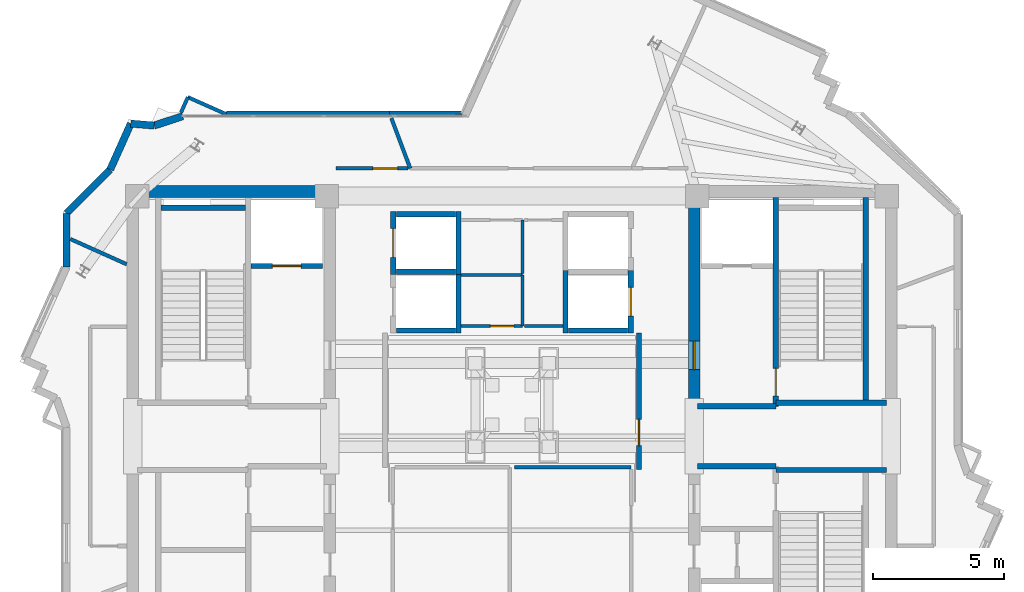
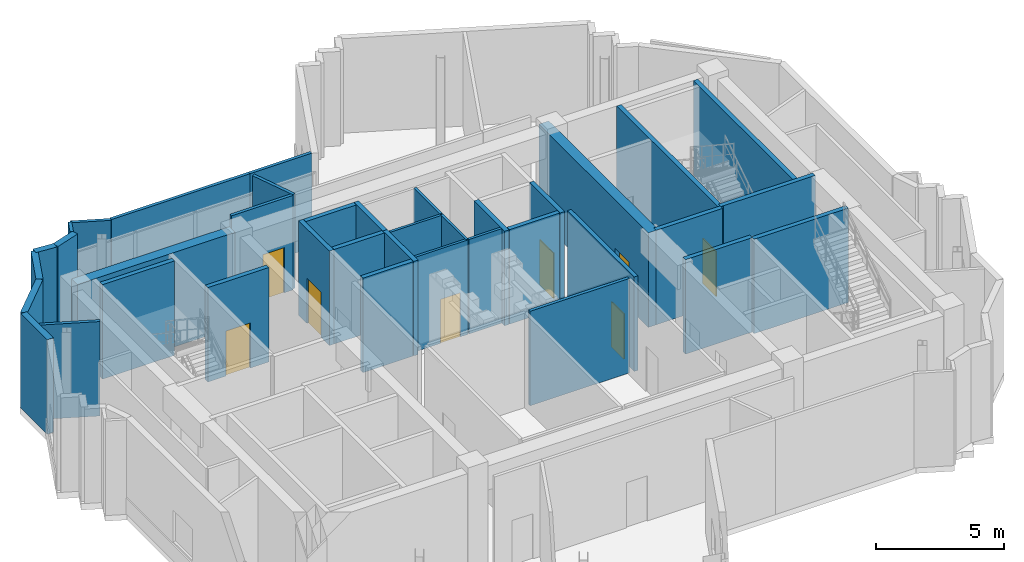
# One storey, part 7 of 11: 38 walls, 8 doors, 8 openings.
"""IFC4 building model written with IfcOpenShell, lengths in metres."""

from ifc_helpers import new_model, si_unit, direction, frame, frame_2d, origin, place, context, subcontext, project, spatial, rectangle, extrude, source, transform, mapped, material, layer, layer_set, type_object, element, fill, save


model = new_model("IFC4")

# Units and contexts
model_context = context("Model", 3, precision=1e-05, world=origin(), true_north=direction((0.0, 1.0)))
body_context = subcontext(model_context, "Body", "Model", "MODEL_VIEW")
ifc_project = project(units=[si_unit("LENGTHUNIT", "METRE"), si_unit("AREAUNIT", "SQUARE_METRE"), si_unit("VOLUMEUNIT", "CUBIC_METRE"), si_unit("PLANEANGLEUNIT", "RADIAN"), si_unit("MASSUNIT", "GRAM", prefix="KILO")], contexts=[model_context])

# Site, building, storey
site_placement = place(None, origin())
site = spatial("IfcSite", under=ifc_project, at=site_placement, CompositionType="ELEMENT")
building_placement = place(site_placement, origin())
building = spatial("IfcBuilding", under=site, at=building_placement, Name="Zahravan Cultural Tower", CompositionType="ELEMENT")
storey_placement = place(building_placement, frame((0.0, 0.0, 361.050048828125)))
storey = spatial("IfcBuildingStorey", under=building, at=storey_placement, Name="L88", CompositionType="ELEMENT", Elevation=361.050048828125)

# Wall, opening, door
ifc_material_1 = material(Name="Concrete C50/60", Category="concrete")
ifc_layer_1 = layer(ifc_material_1, 0.449951171875)
ifc_layer_set_1 = layer_set([ifc_layer_1], Name="Concrete C50/60")
wall_type_1 = type_object("IfcWallType", Name="CW-SHEAR-450-C50", PredefinedType="SHEAR", material=ifc_layer_set_1)
wall_1_placement = place(storey_placement, frame((42.97509765625, 28.050048828125, 0.0), z_axis=(0.0, 0.0, 1.0), x_axis=(0.0, 1.0, 0.0)))
wall_1 = element("IfcWall", 1, at=wall_1_placement, inside=storey, type_object=wall_type_1, Name="L88 Core Shear Wall CW-E-WN-L88", PredefinedType="SHEAR", context=body_context, shape_type="SweptSolid", body=[
    extrude(rectangle(XDim=8.550048828125, YDim=0.449951171875, at=frame_2d((4.27490234375, 0.0))), origin(), (0.0, 0.0, 1.0), 4.5),
])
opening_1_placement = place(wall_1_placement, frame((1.5, 0.0, 0.0)))
opening_1 = element("IfcOpeningElement", 2, at=opening_1_placement, cuts=wall_1, Name="Opening D-L88-07", PredefinedType="OPENING", context=body_context, shape_type="SweptSolid", body=[
    extrude(rectangle(XDim=1.10009765625, YDim=2.199951171875, at=frame_2d((0.550048828125, 1.10009765625))), frame((0.0, 0.23486328125, 0.0), z_axis=(0.0, -1.0, 0.0), x_axis=(1.0, 0.0, 0.0)), (0.0, 0.0, 1.0), 0.469970703125),
])
ifc_material_2 = material(Name="Steel ASTM A572 Grade 50", Category="steel")
door_type_1 = type_object("IfcDoorType", Name="DR-LOBBY-1100", OperationType="NOTDEFINED", PredefinedType="DOOR", material=ifc_material_2)
shared_shape_1 = source(origin(), body_context, "Body", "SweptSolid", [
    extrude(rectangle(XDim=1.10009765625, YDim=2.199951171875, at=frame_2d((0.550048828125, 1.10009765625))), frame((0.0, 0.02490234375, 0.0), z_axis=(0.0, -1.0, 0.0), x_axis=(1.0, 0.0, 0.0)), (0.0, 0.0, 1.0), 0.050048828125),
])
door_1_placement = place(opening_1_placement, origin())
door_1 = element("IfcDoor", 3, at=door_1_placement, inside=storey, type_object=door_type_1, Name="L88 Door D-L88-07", OperationType="SINGLE_SWING_LEFT", OverallHeight=2.199951171875, OverallWidth=1.10009765625, PredefinedType="DOOR", context=body_context, shape_type="MappedRepresentation", body=[
    mapped(shared_shape_1, transform((0.0, 0.0, 0.0), x_axis=(1.0, 0.0, 0.0), y_axis=(0.0, 1.0, 0.0), z_axis=(0.0, 0.0, 1.0), scale=1.0)),
])
fill(opening_1, door_1)

ifc_material_3 = material(Name="Gypsum plasterboard partition")
ifc_layer_2 = layer(ifc_material_3, 0.179931640625)
ifc_layer_set_2 = layer_set([ifc_layer_2], Name="Gypsum plasterboard partition")
wall_type_2 = type_object("IfcWallType", Name="W-COMP-180", PredefinedType="PARTITIONING", material=ifc_layer_set_2)
wall_2_placement = place(storey_placement, frame((40.860107421875, 30.949951171875, 0.0), z_axis=(0.0, 0.0, 1.0), x_axis=(0.0, -1.0, 0.0)))
wall_2 = element("IfcWall", 4, at=wall_2_placement, inside=storey, type_object=wall_type_2, Name="L88 Interior Wall 082", PredefinedType="PARTITIONING", context=body_context, shape_type="SweptSolid", body=[
    extrude(rectangle(XDim=5.21484375, YDim=0.179931640625, at=frame_2d((2.607421875, 0.0))), origin(), (0.0, 0.0, 1.0), 4.5),
])
opening_2_placement = place(wall_2_placement, frame((3.3017578125, 0.0, 0.0)))
opening_2 = element("IfcOpeningElement", 5, at=opening_2_placement, cuts=wall_2, Name="Opening D-L88-18", PredefinedType="OPENING", context=body_context, shape_type="SweptSolid", body=[
    extrude(rectangle(XDim=1.0, YDim=2.14990234375, at=frame_2d((0.5, 1.074951171875))), frame((0.0, 0.099853515625, 0.0), z_axis=(0.0, -1.0, 0.0), x_axis=(1.0, 0.0, 0.0)), (0.0, 0.0, 1.0), 0.199951171875),
])
door_type_2 = type_object("IfcDoorType", Name="DR-COMP-1000", OperationType="NOTDEFINED", PredefinedType="DOOR", material=ifc_material_2)
shared_shape_2 = source(origin(), body_context, "Body", "SweptSolid", [
    extrude(rectangle(XDim=1.0, YDim=2.14990234375, at=frame_2d((0.5, 1.074951171875))), frame((0.0, 0.02490234375, 0.0), z_axis=(0.0, -1.0, 0.0), x_axis=(1.0, 0.0, 0.0)), (0.0, 0.0, 1.0), 0.050048828125),
])
door_2_placement = place(opening_2_placement, origin())
door_2 = element("IfcDoor", 6, at=door_2_placement, inside=storey, type_object=door_type_2, Name="L88 Door D-L88-18", OperationType="SINGLE_SWING_RIGHT", OverallHeight=2.14990234375, OverallWidth=1.0, PredefinedType="DOOR", context=body_context, shape_type="MappedRepresentation", body=[
    mapped(shared_shape_2, transform((0.0, 0.0, 0.0), x_axis=(1.0, 0.0, 0.0), y_axis=(0.0, 1.0, 0.0), z_axis=(0.0, 0.0, 1.0), scale=1.0)),
])
fill(opening_2, door_2)

ifc_layer_3 = layer(ifc_material_3, 0.139892578125)
ifc_layer_set_3 = layer_set([ifc_layer_3], Name="Gypsum plasterboard partition")
wall_type_3 = type_object("IfcWallType", Name="W-PART-140", PredefinedType="PARTITIONING", material=ifc_layer_set_3)
wall_3_placement = place(storey_placement, frame((32.02294921875, 37.260009765625, 0.0), z_axis=(0.0, 0.0, 1.0), x_axis=(-0.999999902762, -0.000440994842, 0.0)))
wall_3 = element("IfcWall", 7, at=wall_3_placement, inside=storey, type_object=wall_type_3, Name="L88 Interior Wall 065", PredefinedType="PARTITIONING", context=body_context, shape_type="SweptSolid", body=[
    extrude(rectangle(XDim=2.76806640625, YDim=0.139892578125, at=frame_2d((1.384033203125, 0.0))), origin(), (0.0, 0.0, 1.0), 4.5),
])
opening_3_placement = place(wall_3_placement, frame((0.39990234375, 0.0, 0.0)))
opening_3 = element("IfcOpeningElement", 8, at=opening_3_placement, cuts=wall_3, Name="Opening D-L88-23", PredefinedType="OPENING", context=body_context, shape_type="SweptSolid", body=[
    extrude(rectangle(XDim=0.949951171875, YDim=2.14990234375, at=frame_2d((0.47509765625, 1.074951171875))), frame((0.0, 0.079833984375, 0.0), z_axis=(0.0, -1.0, 0.0), x_axis=(1.0, 0.0, 0.0)), (0.0, 0.0, 1.0), 0.159912109375),
])
ifc_material_4 = material(Name="Anodised bronze-aluminium mullion", Category="aluminium")
door_type_3 = type_object("IfcDoorType", Name="DR-ROOM-950", OperationType="NOTDEFINED", PredefinedType="DOOR", material=ifc_material_4)
shared_shape_3 = source(origin(), body_context, "Body", "SweptSolid", [
    extrude(rectangle(XDim=0.949951171875, YDim=2.14990234375, at=frame_2d((0.47509765625, 1.074951171875))), frame((0.0, 0.02490234375, 0.0), z_axis=(0.0, -1.0, 0.0), x_axis=(1.0, 0.0, 0.0)), (0.0, 0.0, 1.0), 0.050048828125),
])
door_3_placement = place(opening_3_placement, origin())
door_3 = element("IfcDoor", 9, at=door_3_placement, inside=storey, type_object=door_type_3, Name="L88 Door D-L88-23", OperationType="SINGLE_SWING_LEFT", OverallHeight=2.14990234375, OverallWidth=0.949951171875, PredefinedType="DOOR", context=body_context, shape_type="MappedRepresentation", body=[
    mapped(shared_shape_3, transform((0.0, 0.0, 0.0), x_axis=(1.0, 0.0, 0.0), y_axis=(0.0, 1.0, 0.0), z_axis=(0.0, 0.0, 1.0), scale=1.0)),
])
fill(opening_3, door_3)

ifc_material_5 = material(Name="Concrete C45/55", Category="concrete")
ifc_layer_4 = layer(ifc_material_5, 0.199951171875)
ifc_layer_set_4 = layer_set([ifc_layer_4], Name="Concrete C45/55")
wall_type_4 = type_object("IfcWallType", Name="W-SHAFT-200", PredefinedType="SOLIDWALL", material=ifc_layer_set_4)
wall_4_placement = place(storey_placement, frame((46.10009765625, 28.14990234375, 0.0), z_axis=(0.0, 0.0, 1.0), x_axis=(0.0, 1.0, 0.0)))
wall_4 = element("IfcWall", 10, at=wall_4_placement, inside=storey, type_object=wall_type_4, Name="L88 Interior Wall 008", PredefinedType="SOLIDWALL", context=body_context, shape_type="SweptSolid", body=[
    extrude(rectangle(XDim=8.0, YDim=0.199951171875, at=frame_2d((4.0, 0.0))), origin(), (0.0, 0.0, 1.0), 4.5),
])
opening_4_placement = place(wall_4_placement, frame((0.39990234375, 0.0, 0.0)))
opening_4 = element("IfcOpeningElement", 11, at=opening_4_placement, cuts=wall_4, Name="Opening D-L88-02", PredefinedType="OPENING", context=body_context, shape_type="SweptSolid", body=[
    extrude(rectangle(XDim=1.050048828125, YDim=2.14990234375, at=frame_2d((0.52490234375, 1.074951171875))), frame((0.0, 0.10986328125, 0.0), z_axis=(0.0, -1.0, 0.0), x_axis=(1.0, 0.0, 0.0)), (0.0, 0.0, 1.0), 0.219970703125),
])
door_type_4 = type_object("IfcDoorType", Name="DR-STAIR-1050", OperationType="NOTDEFINED", PredefinedType="DOOR", material=ifc_material_2)
shared_shape_4 = source(origin(), body_context, "Body", "SweptSolid", [
    extrude(rectangle(XDim=1.050048828125, YDim=2.14990234375, at=frame_2d((0.52490234375, 1.074951171875))), frame((0.0, 0.02490234375, 0.0), z_axis=(0.0, -1.0, 0.0), x_axis=(1.0, 0.0, 0.0)), (0.0, 0.0, 1.0), 0.050048828125),
])
door_4_placement = place(opening_4_placement, origin())
door_4 = element("IfcDoor", 12, at=door_4_placement, inside=storey, type_object=door_type_4, Name="L88 Door D-L88-02", OperationType="SINGLE_SWING_RIGHT", OverallHeight=2.14990234375, OverallWidth=1.050048828125, PredefinedType="DOOR", context=body_context, shape_type="MappedRepresentation", body=[
    mapped(shared_shape_4, transform((0.0, 0.0, 0.0), x_axis=(1.0, 0.0, 0.0), y_axis=(0.0, 1.0, 0.0), z_axis=(0.0, 0.0, 1.0), scale=1.0)),
])
fill(opening_4, door_4)

wall_5_placement = place(storey_placement, frame((26.0, 33.52001953125, 0.0), z_axis=(0.0, 0.0, 1.0), x_axis=(1.0, 0.0, 0.0)))
wall_5 = element("IfcWall", 13, at=wall_5_placement, inside=storey, type_object=wall_type_4, Name="L88 Interior Wall 022", PredefinedType="SOLIDWALL", context=body_context, shape_type="SweptSolid", body=[
    extrude(rectangle(XDim=2.75, YDim=0.199951171875, at=frame_2d((1.375, 0.0))), origin(), (0.0, 0.0, 1.0), 4.5),
])
opening_5_placement = place(wall_5_placement, frame((0.820068359375, 0.0, 0.0)))
opening_5 = element("IfcOpeningElement", 14, at=opening_5_placement, cuts=wall_5, Name="Opening LD-L88-01", PredefinedType="OPENING", context=body_context, shape_type="SweptSolid", body=[
    extrude(rectangle(XDim=1.10009765625, YDim=2.14990234375, at=frame_2d((0.550048828125, 1.074951171875))), frame((0.0, 0.10986328125, 0.0), z_axis=(0.0, -1.0, 0.0), x_axis=(1.0, 0.0, 0.0)), (0.0, 0.0, 1.0), 0.219970703125),
])
door_type_5 = type_object("IfcDoorType", Name="DR-LIFT-1100", OperationType="DOUBLE_DOOR_SLIDING", PredefinedType="DOOR", material=ifc_material_2)
shared_shape_5 = source(origin(), body_context, "Body", "SweptSolid", [
    extrude(rectangle(XDim=1.10009765625, YDim=2.14990234375, at=frame_2d((0.550048828125, 1.074951171875))), frame((0.0, 0.02490234375, 0.0), z_axis=(0.0, -1.0, 0.0), x_axis=(1.0, 0.0, 0.0)), (0.0, 0.0, 1.0), 0.050048828125),
])
door_5_placement = place(opening_5_placement, origin())
door_5 = element("IfcDoor", 15, at=door_5_placement, inside=storey, type_object=door_type_5, Name="L88 Door LD-L88-01", OperationType="DOUBLE_DOOR_SLIDING", OverallHeight=2.14990234375, OverallWidth=1.10009765625, PredefinedType="DOOR", context=body_context, shape_type="MappedRepresentation", body=[
    mapped(shared_shape_5, transform((0.0, 0.0, 0.0), x_axis=(1.0, 0.0, 0.0), y_axis=(0.0, 1.0, 0.0), z_axis=(0.0, 0.0, 1.0), scale=1.0)),
])
fill(opening_5, door_5)

wall_6_placement = place(storey_placement, frame((31.449951171875, 33.199951171875, 0.0), z_axis=(0.0, 0.0, 1.0), x_axis=(0.0, 1.0, 0.0)))
wall_6 = element("IfcWall", 16, at=wall_6_placement, inside=storey, type_object=wall_type_4, Name="L88 Interior Wall 029", PredefinedType="SOLIDWALL", context=body_context, shape_type="SweptSolid", body=[
    extrude(rectangle(XDim=2.400146484375, YDim=0.199951171875, at=frame_2d((1.2001953125, 0.0))), origin(), (0.0, 0.0, 1.0), 4.5),
])
opening_6_placement = place(wall_6_placement, frame((0.64990234375, 0.0, 0.0)))
opening_6 = element("IfcOpeningElement", 17, at=opening_6_placement, cuts=wall_6, Name="Opening LD-L88-04", PredefinedType="OPENING", context=body_context, shape_type="SweptSolid", body=[
    extrude(rectangle(XDim=1.10009765625, YDim=2.14990234375, at=frame_2d((0.550048828125, 1.074951171875))), frame((0.0, 0.10986328125, 0.0), z_axis=(0.0, -1.0, 0.0), x_axis=(1.0, 0.0, 0.0)), (0.0, 0.0, 1.0), 0.219970703125),
])
door_6_placement = place(opening_6_placement, origin())
door_6 = element("IfcDoor", 18, at=door_6_placement, inside=storey, type_object=door_type_5, Name="L88 Door LD-L88-04", OperationType="DOUBLE_DOOR_SLIDING", OverallHeight=2.14990234375, OverallWidth=1.10009765625, PredefinedType="DOOR", context=body_context, shape_type="MappedRepresentation", body=[
    mapped(shared_shape_5, transform((0.0, 0.0, 0.0), x_axis=(1.0, 0.0, 0.0), y_axis=(0.0, 1.0, 0.0), z_axis=(0.0, 0.0, 1.0), scale=1.0)),
])
fill(opening_6, door_6)

wall_7_placement = place(storey_placement, frame((40.550048828125, 30.949951171875, 0.0), z_axis=(0.0, 0.0, 1.0), x_axis=(0.0, 1.0, 0.0)))
wall_7 = element("IfcWall", 19, at=wall_7_placement, inside=storey, type_object=wall_type_4, Name="L88 Interior Wall 041", PredefinedType="SOLIDWALL", context=body_context, shape_type="SweptSolid", body=[
    extrude(rectangle(XDim=2.400146484375, YDim=0.199951171875, at=frame_2d((1.2001953125, 0.0))), origin(), (0.0, 0.0, 1.0), 4.5),
])
opening_7_placement = place(wall_7_placement, frame((0.64990234375, 0.0, 0.0)))
opening_7 = element("IfcOpeningElement", 20, at=opening_7_placement, cuts=wall_7, Name="Opening LD-L88-07", PredefinedType="OPENING", context=body_context, shape_type="SweptSolid", body=[
    extrude(rectangle(XDim=1.10009765625, YDim=2.14990234375, at=frame_2d((0.550048828125, 1.074951171875))), frame((0.0, 0.10986328125, 0.0), z_axis=(0.0, -1.0, 0.0), x_axis=(1.0, 0.0, 0.0)), (0.0, 0.0, 1.0), 0.219970703125),
])
door_7_placement = place(opening_7_placement, origin())
door_7 = element("IfcDoor", 21, at=door_7_placement, inside=storey, type_object=door_type_5, Name="L88 Door LD-L88-07", OperationType="DOUBLE_DOOR_SLIDING", OverallHeight=2.14990234375, OverallWidth=1.10009765625, PredefinedType="DOOR", context=body_context, shape_type="MappedRepresentation", body=[
    mapped(shared_shape_5, transform((0.0, 0.0, 0.0), x_axis=(1.0, 0.0, 0.0), y_axis=(0.0, 1.0, 0.0), z_axis=(0.0, 0.0, 1.0), scale=1.0)),
])
fill(opening_7, door_7)

ifc_layer_5 = layer(ifc_material_3, 0.114990234375)
ifc_layer_set_5 = layer_set([ifc_layer_5], Name="Gypsum plasterboard partition")
wall_type_5 = type_object("IfcWallType", Name="W-WC-115", PredefinedType="PARTITIONING", material=ifc_layer_set_5)
wall_8_placement = place(storey_placement, frame((36.409912109375, 31.219970703125, 0.0), z_axis=(0.0, 0.0, 1.0), x_axis=(-1.0, 0.0, 0.0)))
wall_8 = element("IfcWall", 22, at=wall_8_placement, inside=storey, type_object=wall_type_5, Name="L88 Interior Wall 043", PredefinedType="PARTITIONING", context=body_context, shape_type="SweptSolid", body=[
    extrude(rectangle(XDim=2.35498046875, YDim=0.114990234375, at=frame_2d((1.177490234375, 0.0))), origin(), (0.0, 0.0, 1.0), 4.5),
])
opening_8_placement = place(wall_8_placement, frame((0.333984375, 0.0, 0.0)))
opening_8 = element("IfcOpeningElement", 23, at=opening_8_placement, cuts=wall_8, Name="Opening D-L88-27", PredefinedType="OPENING", context=body_context, shape_type="SweptSolid", body=[
    extrude(rectangle(XDim=0.89990234375, YDim=2.10009765625, at=frame_2d((0.449951171875, 1.050048828125))), frame((0.0, 0.0673828125, 0.0), z_axis=(0.0, -1.0, 0.0), x_axis=(1.0, 0.0, 0.0)), (0.0, 0.0, 1.0), 0.135009765625),
])
door_type_6 = type_object("IfcDoorType", Name="DR-WC-900", OperationType="NOTDEFINED", PredefinedType="DOOR", material=ifc_material_4)
shared_shape_6 = source(origin(), body_context, "Body", "SweptSolid", [
    extrude(rectangle(XDim=0.89990234375, YDim=2.10009765625, at=frame_2d((0.449951171875, 1.050048828125))), frame((0.0, 0.02490234375, 0.0), z_axis=(0.0, -1.0, 0.0), x_axis=(1.0, 0.0, 0.0)), (0.0, 0.0, 1.0), 0.050048828125),
])
door_8_placement = place(opening_8_placement, origin())
door_8 = element("IfcDoor", 24, at=door_8_placement, inside=storey, type_object=door_type_6, Name="L88 Door D-L88-27", OperationType="SINGLE_SWING_LEFT", OverallHeight=2.10009765625, OverallWidth=0.89990234375, PredefinedType="DOOR", context=body_context, shape_type="MappedRepresentation", body=[
    mapped(shared_shape_6, transform((0.0, 0.0, 0.0), x_axis=(1.0, 0.0, 0.0), y_axis=(0.0, 1.0, 0.0), z_axis=(0.0, 0.0, 1.0), scale=1.0)),
])
fill(opening_8, door_8)

# Walls
shared_shape_7 = source(origin(), body_context, "Body", "SweptSolid", [
    extrude(rectangle(XDim=7.10009765625, YDim=0.449951171875, at=frame_2d((3.550048828125, 0.0))), origin(), (0.0, 0.0, 1.0), 4.5),
])
wall_9_placement = place(storey_placement, frame((21.699951171875, 36.375, 0.0), z_axis=(0.0, 0.0, 1.0), x_axis=(1.0, 0.0, 0.0)))
element("IfcWall", 25, at=wall_9_placement, inside=storey, type_object=wall_type_1, Name="L88 Core Shear Wall CW-W-N-L88", PredefinedType="SHEAR", context=body_context, shape_type="MappedRepresentation", body=[
    mapped(shared_shape_7, transform((0.0, 0.0, 0.0), x_axis=(1.0, 0.0, 0.0), y_axis=(0.0, 1.0, 0.0), z_axis=(0.0, 0.0, 1.0), scale=1.0)),
])
ifc_material_6 = material(Name="Precast concrete C40/50", Category="concrete")
ifc_layer_6 = layer(ifc_material_6, 0.280029296875)
ifc_layer_set_6 = layer_set([ifc_layer_6], Name="Precast concrete C40/50")
wall_type_6 = type_object("IfcWallType", Name="EW-TC-280", PredefinedType="SOLIDWALL", material=ifc_layer_set_6)
shared_shape_8 = source(origin(), body_context, "Body", "SweptSolid", [
    extrude(rectangle(XDim=2.057861328125, YDim=0.280029296875, at=frame_2d((1.02880859375, 0.0))), origin(), (0.0, 0.0, 1.0), 4.5),
])
wall_10_placement = place(storey_placement, frame((18.93994140625, 33.484130859375, 0.0), z_axis=(0.0, 0.0, 1.0), x_axis=(0.0, 1.0, 0.0)))
element("IfcWall", 26, at=wall_10_placement, inside=storey, type_object=wall_type_6, Name="L88 Exterior Masonry Frame Wall 08", PredefinedType="SOLIDWALL", context=body_context, shape_type="MappedRepresentation", body=[
    mapped(shared_shape_8, transform((0.0, 0.0, 0.0), x_axis=(1.0, 0.0, 0.0), y_axis=(0.0, 1.0, 0.0), z_axis=(0.0, 0.0, 1.0), scale=1.0)),
])
shared_shape_9 = source(origin(), body_context, "Body", "SweptSolid", [
    extrude(rectangle(XDim=2.3623046875, YDim=0.280029296875, at=frame_2d((1.18115234375, 0.0))), origin(), (0.0, 0.0, 1.0), 4.5),
])
wall_11_placement = place(storey_placement, frame((18.93994140625, 35.5419921875, 0.0), z_axis=(0.0, 0.0, 1.0), x_axis=(0.707106781187, 0.707106781187, 0.0)))
element("IfcWall", 27, at=wall_11_placement, inside=storey, type_object=wall_type_6, Name="L88 Exterior Masonry Frame Wall 09", PredefinedType="SOLIDWALL", context=body_context, shape_type="MappedRepresentation", body=[
    mapped(shared_shape_9, transform((0.0, 0.0, 0.0), x_axis=(1.0, 0.0, 0.0), y_axis=(0.0, 1.0, 0.0), z_axis=(0.0, 0.0, 1.0), scale=1.0)),
])
shared_shape_10 = source(origin(), body_context, "Body", "SweptSolid", [
    extrude(rectangle(XDim=1.932373046875, YDim=0.280029296875, at=frame_2d((0.96630859375, 0.0))), origin(), (0.0, 0.0, 1.0), 4.5),
])
wall_12_placement = place(storey_placement, frame((20.6103515625, 37.21240234375, 0.0), z_axis=(0.0, 0.0, 1.0), x_axis=(0.408856367363, 0.912598745817, 0.0)))
element("IfcWall", 28, at=wall_12_placement, inside=storey, type_object=wall_type_6, Name="L88 Exterior Masonry Frame Wall 10", PredefinedType="SOLIDWALL", context=body_context, shape_type="MappedRepresentation", body=[
    mapped(shared_shape_10, transform((0.0, 0.0, 0.0), x_axis=(1.0, 0.0, 0.0), y_axis=(0.0, 1.0, 0.0), z_axis=(0.0, 0.0, 1.0), scale=1.0)),
])
shared_shape_11 = source(origin(), body_context, "Body", "SweptSolid", [
    extrude(rectangle(XDim=0.900390625, YDim=0.280029296875, at=frame_2d((0.4501953125, 0.0))), origin(), (0.0, 0.0, 1.0), 4.5),
])
wall_13_placement = place(storey_placement, frame((21.400390625, 38.975830078125, 0.0), z_axis=(0.0, 0.0, 1.0), x_axis=(0.996415533388, -0.084593645284, 0.0)))
element("IfcWall", 29, at=wall_13_placement, inside=storey, type_object=wall_type_6, Name="L88 Exterior Masonry Frame Wall 11", PredefinedType="SOLIDWALL", context=body_context, shape_type="MappedRepresentation", body=[
    mapped(shared_shape_11, transform((0.0, 0.0, 0.0), x_axis=(1.0, 0.0, 0.0), y_axis=(0.0, 1.0, 0.0), z_axis=(0.0, 0.0, 1.0), scale=1.0)),
])
shared_shape_12 = source(origin(), body_context, "Body", "SweptSolid", [
    extrude(rectangle(XDim=1.15087890625, YDim=0.280029296875, at=frame_2d((0.575439453125, 0.0))), origin(), (0.0, 0.0, 1.0), 4.5),
])
wall_14_placement = place(storey_placement, frame((22.297607421875, 38.899658203125, 0.0), z_axis=(0.0, 0.0, 1.0), x_axis=(0.949717622695, 0.313107708532, 0.0)))
element("IfcWall", 30, at=wall_14_placement, inside=storey, type_object=wall_type_6, Name="L88 Exterior Masonry Frame Wall 12", PredefinedType="SOLIDWALL", context=body_context, shape_type="MappedRepresentation", body=[
    mapped(shared_shape_12, transform((0.0, 0.0, 0.0), x_axis=(1.0, 0.0, 0.0), y_axis=(0.0, 1.0, 0.0), z_axis=(0.0, 0.0, 1.0), scale=1.0)),
])
shared_shape_13 = source(origin(), body_context, "Body", "SweptSolid", [
    extrude(rectangle(XDim=7.869873046875, YDim=0.199951171875, at=frame_2d((3.93505859375, 0.0))), origin(), (0.0, 0.0, 1.0), 4.5),
])
wall_15_placement = place(storey_placement, frame((49.550048828125, 28.280029296875, 0.0), z_axis=(0.0, 0.0, 1.0), x_axis=(0.0, 1.0, 0.0)))
element("IfcWall", 31, at=wall_15_placement, inside=storey, type_object=wall_type_4, Name="L88 Interior Wall 004", PredefinedType="SOLIDWALL", context=body_context, shape_type="MappedRepresentation", body=[
    mapped(shared_shape_13, transform((0.0, 0.0, 0.0), x_axis=(1.0, 0.0, 0.0), y_axis=(0.0, 1.0, 0.0), z_axis=(0.0, 0.0, 1.0), scale=1.0)),
])
shared_shape_14 = source(origin(), body_context, "Body", "SweptSolid", [
    extrude(rectangle(XDim=4.25, YDim=0.199951171875, at=frame_2d((2.125, 0.0))), origin(), (0.0, 0.0, 1.0), 4.5),
])
for number, where, z_axis, x_axis, name in (
    (32, (46.10009765625, 25.715087890625, 0.0), (0.0, 0.0, 1.0), (1.0, 0.0, 0.0), "L88 Interior Wall 014"),
    (33, (46.10009765625, 28.284912109375, 0.0), (0.0, 0.0, 1.0), (1.0, 0.0, 0.0), "L88 Interior Wall 016"),
):
    element("IfcWall", number, at=place(storey_placement, frame(where, z_axis=z_axis, x_axis=x_axis)), inside=storey, type_object=wall_type_4, Name=name, PredefinedType="SOLIDWALL", context=body_context, shape_type="MappedRepresentation", body=[
        mapped(shared_shape_14, transform((0.0, 0.0, 0.0), x_axis=(1.0, 0.0, 0.0), y_axis=(0.0, 1.0, 0.0), z_axis=(0.0, 0.0, 1.0), scale=1.0)),
    ])
shared_shape_15 = source(origin(), body_context, "Body", "SweptSolid", [
    extrude(rectangle(XDim=3.0, YDim=0.199951171875, at=frame_2d((1.5, 0.0))), origin(), (0.0, 0.0, 1.0), 4.5),
])
for number, where, z_axis, x_axis, name in (
    (34, (43.10009765625, 25.85009765625, 0.0), (0.0, 0.0, 1.0), (1.0, 0.0, 0.0), "L88 Interior Wall 013"),
    (35, (43.10009765625, 28.14990234375, 0.0), (0.0, 0.0, 1.0), (1.0, 0.0, 0.0), "L88 Interior Wall 015"),
):
    element("IfcWall", number, at=place(storey_placement, frame(where, z_axis=z_axis, x_axis=x_axis)), inside=storey, type_object=wall_type_4, Name=name, PredefinedType="SOLIDWALL", context=body_context, shape_type="MappedRepresentation", body=[
        mapped(shared_shape_15, transform((0.0, 0.0, 0.0), x_axis=(1.0, 0.0, 0.0), y_axis=(0.0, 1.0, 0.0), z_axis=(0.0, 0.0, 1.0), scale=1.0)),
    ])
shared_shape_16 = source(origin(), body_context, "Body", "SweptSolid", [
    extrude(rectangle(XDim=3.25, YDim=0.199951171875, at=frame_2d((1.625, 0.0))), origin(), (0.0, 0.0, 1.0), 4.5),
])
wall_16_placement = place(storey_placement, frame((22.550048828125, 35.75, 0.0), z_axis=(0.0, 0.0, 1.0), x_axis=(1.0, 0.0, 0.0)))
element("IfcWall", 36, at=wall_16_placement, inside=storey, type_object=wall_type_4, Name="L88 Interior Wall 017", PredefinedType="SOLIDWALL", context=body_context, shape_type="MappedRepresentation", body=[
    mapped(shared_shape_16, transform((0.0, 0.0, 0.0), x_axis=(1.0, 0.0, 0.0), y_axis=(0.0, 1.0, 0.0), z_axis=(0.0, 0.0, 1.0), scale=1.0)),
])
shared_shape_17 = source(origin(), body_context, "Body", "SweptSolid", [
    extrude(rectangle(XDim=2.400146484375, YDim=0.199951171875, at=frame_2d((1.2001953125, 0.0))), origin(), (0.0, 0.0, 1.0), 4.5),
])
for number, where, z_axis, x_axis, name in (
    (37, (33.949951171875, 33.199951171875, 0.0), (0.0, 0.0, 1.0), (0.0, 1.0, 0.0), "L88 Interior Wall 030"),
    (38, (33.949951171875, 30.949951171875, 0.0), (0.0, 0.0, 1.0), (0.0, 1.0, 0.0), "L88 Interior Wall 034"),
    (39, (38.050048828125, 30.949951171875, 0.0), (0.0, 0.0, 1.0), (0.0, 1.0, 0.0), "L88 Interior Wall 040"),
):
    element("IfcWall", number, at=place(storey_placement, frame(where, z_axis=z_axis, x_axis=x_axis)), inside=storey, type_object=wall_type_4, Name=name, PredefinedType="SOLIDWALL", context=body_context, shape_type="MappedRepresentation", body=[
        mapped(shared_shape_17, transform((0.0, 0.0, 0.0), x_axis=(1.0, 0.0, 0.0), y_axis=(0.0, 1.0, 0.0), z_axis=(0.0, 0.0, 1.0), scale=1.0)),
    ])
shared_shape_18 = source(origin(), body_context, "Body", "SweptSolid", [
    extrude(rectangle(XDim=2.260009765625, YDim=0.199951171875, at=frame_2d((1.1298828125, 0.0))), origin(), (0.0, 0.0, 1.0), 4.5),
])
for number, where, z_axis, x_axis, name in (
    (40, (31.570068359375, 33.300048828125, 0.0), (0.0, 0.0, 1.0), (1.0, 0.0, 0.0), "L88 Interior Wall 031"),
    (41, (31.570068359375, 35.5, 0.0), (0.0, 0.0, 1.0), (1.0, 0.0, 0.0), "L88 Interior Wall 032"),
    (42, (31.570068359375, 31.050048828125, 0.0), (0.0, 0.0, 1.0), (1.0, 0.0, 0.0), "L88 Interior Wall 035"),
    (43, (38.169921875, 31.050048828125, 0.0), (0.0, 0.0, 1.0), (1.0, 0.0, 0.0), "L88 Interior Wall 042"),
):
    element("IfcWall", number, at=place(storey_placement, frame(where, z_axis=z_axis, x_axis=x_axis)), inside=storey, type_object=wall_type_4, Name=name, PredefinedType="SOLIDWALL", context=body_context, shape_type="MappedRepresentation", body=[
        mapped(shared_shape_18, transform((0.0, 0.0, 0.0), x_axis=(1.0, 0.0, 0.0), y_axis=(0.0, 1.0, 0.0), z_axis=(0.0, 0.0, 1.0), scale=1.0)),
    ])
shared_shape_19 = source(origin(), body_context, "Body", "SweptSolid", [
    extrude(rectangle(XDim=2.35498046875, YDim=0.114990234375, at=frame_2d((1.177490234375, 0.0))), origin(), (0.0, 0.0, 1.0), 4.5),
])
wall_17_placement = place(storey_placement, frame((34.054931640625, 33.179931640625, 0.0), z_axis=(0.0, 0.0, 1.0), x_axis=(1.0, 0.0, 0.0)))
element("IfcWall", 44, at=wall_17_placement, inside=storey, type_object=wall_type_5, Name="L88 Interior Wall 044", PredefinedType="PARTITIONING", context=body_context, shape_type="MappedRepresentation", body=[
    mapped(shared_shape_19, transform((0.0, 0.0, 0.0), x_axis=(1.0, 0.0, 0.0), y_axis=(0.0, 1.0, 0.0), z_axis=(0.0, 0.0, 1.0), scale=1.0)),
])
shared_shape_20 = source(origin(), body_context, "Body", "SweptSolid", [
    extrude(rectangle(XDim=1.9599609375, YDim=0.114990234375, at=frame_2d((0.97998046875, 0.0))), origin(), (0.0, 0.0, 1.0), 4.5),
])
wall_18_placement = place(storey_placement, frame((36.409912109375, 33.179931640625, 0.0), z_axis=(0.0, 0.0, 1.0), x_axis=(0.0, -1.0, 0.0)))
element("IfcWall", 45, at=wall_18_placement, inside=storey, type_object=wall_type_5, Name="L88 Interior Wall 045", PredefinedType="PARTITIONING", context=body_context, shape_type="MappedRepresentation", body=[
    mapped(shared_shape_20, transform((0.0, 0.0, 0.0), x_axis=(1.0, 0.0, 0.0), y_axis=(0.0, 1.0, 0.0), z_axis=(0.0, 0.0, 1.0), scale=1.0)),
])
shared_shape_21 = source(origin(), body_context, "Body", "SweptSolid", [
    extrude(rectangle(XDim=2.0400390625, YDim=0.114990234375, at=frame_2d((1.02001953125, 0.0))), origin(), (0.0, 0.0, 1.0), 4.5),
])
wall_19_placement = place(storey_placement, frame((36.409912109375, 35.280029296875, 0.0), z_axis=(0.0, 0.0, 1.0), x_axis=(0.0, -1.0, 0.0)))
element("IfcWall", 46, at=wall_19_placement, inside=storey, type_object=wall_type_5, Name="L88 Interior Wall 047", PredefinedType="PARTITIONING", context=body_context, shape_type="MappedRepresentation", body=[
    mapped(shared_shape_21, transform((0.0, 0.0, 0.0), x_axis=(1.0, 0.0, 0.0), y_axis=(0.0, 1.0, 0.0), z_axis=(0.0, 0.0, 1.0), scale=1.0)),
])
shared_shape_22 = source(origin(), body_context, "Body", "SweptSolid", [
    extrude(rectangle(XDim=1.47265625, YDim=0.114990234375, at=frame_2d((0.736328125, 0.0))), origin(), (0.0, 0.0, 1.0), 4.5),
])
wall_20_placement = place(storey_placement, frame((37.945068359375, 31.219970703125, 0.0), z_axis=(0.0, 0.0, 1.0), x_axis=(-1.0, 0.0, 0.0)))
element("IfcWall", 47, at=wall_20_placement, inside=storey, type_object=wall_type_5, Name="L88 Interior Wall 048", PredefinedType="PARTITIONING", context=body_context, shape_type="MappedRepresentation", body=[
    mapped(shared_shape_22, transform((0.0, 0.0, 0.0), x_axis=(1.0, 0.0, 0.0), y_axis=(0.0, 1.0, 0.0), z_axis=(0.0, 0.0, 1.0), scale=1.0)),
])
shared_shape_23 = source(origin(), body_context, "Body", "SweptSolid", [
    extrude(rectangle(XDim=2.366943359375, YDim=0.139892578125, at=frame_2d((1.18359375, 0.0))), origin(), (0.0, 0.0, 1.0), 4.5),
])
wall_21_placement = place(storey_placement, frame((19.0849609375, 34.556396484375, 0.0), z_axis=(0.0, 0.0, 1.0), x_axis=(0.912599576991, -0.408854512115, 0.0)))
element("IfcWall", 48, at=wall_21_placement, inside=storey, type_object=wall_type_3, Name="L88 Interior Wall 050", PredefinedType="PARTITIONING", context=body_context, shape_type="MappedRepresentation", body=[
    mapped(shared_shape_23, transform((0.0, 0.0, 0.0), x_axis=(1.0, 0.0, 0.0), y_axis=(0.0, 1.0, 0.0), z_axis=(0.0, 0.0, 1.0), scale=1.0)),
])
shared_shape_24 = source(origin(), body_context, "Body", "SweptSolid", [
    extrude(rectangle(XDim=2.051025390625, YDim=0.139892578125, at=frame_2d((1.025390625, 0.0))), origin(), (0.0, 0.0, 1.0), 4.5),
])
wall_22_placement = place(storey_placement, frame((31.381591796875, 39.179931640625, 0.0), z_axis=(0.0, 0.0, 1.0), x_axis=(0.35174952174, -0.936094158702, 0.0)))
element("IfcWall", 49, at=wall_22_placement, inside=storey, type_object=wall_type_3, Name="L88 Interior Wall 064", PredefinedType="PARTITIONING", context=body_context, shape_type="MappedRepresentation", body=[
    mapped(shared_shape_24, transform((0.0, 0.0, 0.0), x_axis=(1.0, 0.0, 0.0), y_axis=(0.0, 1.0, 0.0), z_axis=(0.0, 0.0, 1.0), scale=1.0)),
])
shared_shape_25 = source(origin(), body_context, "Body", "SweptSolid", [
    extrude(rectangle(XDim=0.650390625, YDim=0.139892578125, at=frame_2d((0.3251953125, 0.0))), origin(), (0.0, 0.0, 1.0), 4.5),
])
wall_23_placement = place(storey_placement, frame((23.320556640625, 39.397216796875, 0.0), z_axis=(0.0, 0.0, 1.0), x_axis=(0.40881875169, 0.912615597208, 0.0)))
element("IfcWall", 50, at=wall_23_placement, inside=storey, type_object=wall_type_3, Name="L88 Interior Wall 066", PredefinedType="PARTITIONING", context=body_context, shape_type="MappedRepresentation", body=[
    mapped(shared_shape_25, transform((0.0, 0.0, 0.0), x_axis=(1.0, 0.0, 0.0), y_axis=(0.0, 1.0, 0.0), z_axis=(0.0, 0.0, 1.0), scale=1.0)),
])
shared_shape_26 = source(origin(), body_context, "Body", "SweptSolid", [
    extrude(rectangle(XDim=1.606201171875, YDim=0.139892578125, at=frame_2d((0.80322265625, 0.0))), origin(), (0.0, 0.0, 1.0), 4.5),
])
wall_24_placement = place(storey_placement, frame((23.58642578125, 39.99072265625, 0.0), z_axis=(0.0, 0.0, 1.0), x_axis=(0.913673598799, -0.406448711227, 0.0)))
element("IfcWall", 51, at=wall_24_placement, inside=storey, type_object=wall_type_3, Name="L88 Interior Wall 067", PredefinedType="PARTITIONING", context=body_context, shape_type="MappedRepresentation", body=[
    mapped(shared_shape_26, transform((0.0, 0.0, 0.0), x_axis=(1.0, 0.0, 0.0), y_axis=(0.0, 1.0, 0.0), z_axis=(0.0, 0.0, 1.0), scale=1.0)),
])
shared_shape_27 = source(origin(), body_context, "Body", "SweptSolid", [
    extrude(rectangle(XDim=6.233642578125, YDim=0.139892578125, at=frame_2d((3.11669921875, 0.0))), origin(), (0.0, 0.0, 1.0), 4.5),
])
wall_25_placement = place(storey_placement, frame((25.07275390625, 39.38037109375, 0.0), z_axis=(0.0, 0.0, 1.0), x_axis=(0.999999996932, -7.8330004e-05, 0.0)))
element("IfcWall", 52, at=wall_25_placement, inside=storey, type_object=wall_type_3, Name="L88 Interior Wall 068", PredefinedType="PARTITIONING", context=body_context, shape_type="MappedRepresentation", body=[
    mapped(shared_shape_27, transform((0.0, 0.0, 0.0), x_axis=(1.0, 0.0, 0.0), y_axis=(0.0, 1.0, 0.0), z_axis=(0.0, 0.0, 1.0), scale=1.0)),
])
shared_shape_28 = source(origin(), body_context, "Body", "SweptSolid", [
    extrude(rectangle(XDim=4.469970703125, YDim=0.139892578125, at=frame_2d((2.23486328125, 0.0))), origin(), (0.0, 0.0, 1.0), 4.5),
])
wall_26_placement = place(storey_placement, frame((36.090087890625, 25.81005859375, 0.0), z_axis=(0.0, 0.0, 1.0), x_axis=(1.0, 0.0, 0.0)))
element("IfcWall", 53, at=wall_26_placement, inside=storey, type_object=wall_type_3, Name="L88 Interior Wall 079", PredefinedType="PARTITIONING", context=body_context, shape_type="MappedRepresentation", body=[
    mapped(shared_shape_28, transform((0.0, 0.0, 0.0), x_axis=(1.0, 0.0, 0.0), y_axis=(0.0, 1.0, 0.0), z_axis=(0.0, 0.0, 1.0), scale=1.0)),
])
shared_shape_29 = source(origin(), body_context, "Body", "SweptSolid", [
    extrude(rectangle(XDim=2.785400390625, YDim=0.139892578125, at=frame_2d((1.392578125, 0.0))), origin(), (0.0, 0.0, 1.0), 4.5),
])
wall_27_placement = place(storey_placement, frame((31.306396484375, 39.380126953125, 0.0), z_axis=(0.0, 0.0, 1.0), x_axis=(0.999998755431, 0.001577699851, 0.0)))
element("IfcWall", 54, at=wall_27_placement, inside=storey, type_object=wall_type_3, Name="L88 Interior Wall 090", PredefinedType="PARTITIONING", context=body_context, shape_type="MappedRepresentation", body=[
    mapped(shared_shape_29, transform((0.0, 0.0, 0.0), x_axis=(1.0, 0.0, 0.0), y_axis=(0.0, 1.0, 0.0), z_axis=(0.0, 0.0, 1.0), scale=1.0)),
])

save(model, "model.ifc")
